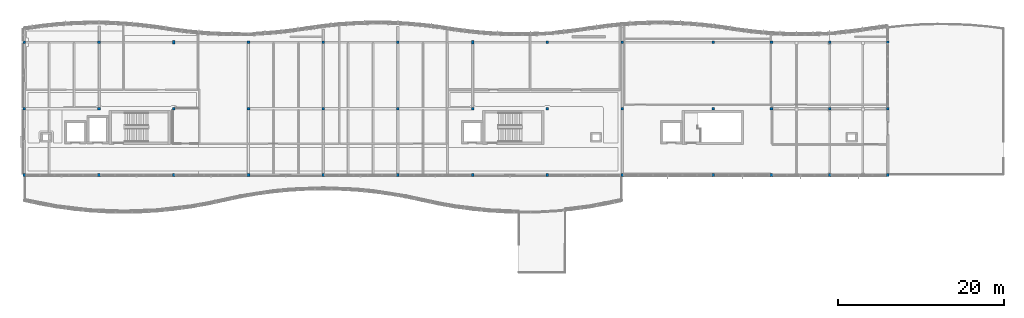
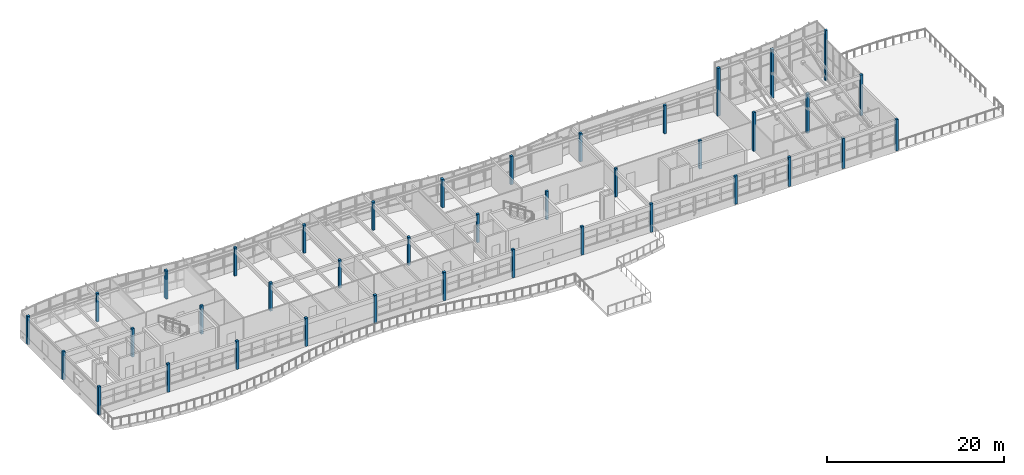
# One storey, part 1 of 33: 39 columns.
"""IFC4 building model written with IfcOpenShell, lengths in metres."""

from ifc_helpers import new_model, si_unit, direction, frame, origin, origin_2d, place, context, subcontext, project, spatial, rectangle, extrude, material, material_profile, profile_set, type_object, element, save


model = new_model("IFC4")

# Units and contexts
model_context = context("Model", 3, precision=1e-05, world=origin(), true_north=direction((0.0, 1.0)))
body_context = subcontext(model_context, "Body", "Model", "MODEL_VIEW")
ifc_project = project(units=[si_unit("LENGTHUNIT", "METRE"), si_unit("AREAUNIT", "SQUARE_METRE"), si_unit("VOLUMEUNIT", "CUBIC_METRE"), si_unit("PLANEANGLEUNIT", "RADIAN"), si_unit("MASSUNIT", "GRAM", prefix="KILO")], contexts=[model_context])

# Site, building, storey
site_placement = place(None, origin())
site = spatial("IfcSite", under=ifc_project, at=site_placement, CompositionType="ELEMENT")
building_placement = place(site_placement, origin())
building = spatial("IfcBuilding", under=site, at=building_placement, Name="Tonlespit Floodbar School", CompositionType="ELEMENT")
storey_placement = place(building_placement, frame((0.0, 0.0, 16.199951171875)))
storey = spatial("IfcBuildingStorey", under=building, at=storey_placement, Name="L04", CompositionType="ELEMENT", Elevation=16.199951171875)

# Columns
ifc_material = material(Name="Glulam GL28h", Category="wood")
ifc_material_profile_1 = material_profile(ifc_material, rectangle(XDim=0.320068359375, YDim=0.320068359375, at=origin_2d()), Name="GL 320x320")
ifc_profile_set_1 = profile_set([ifc_material_profile_1], Name="Glulam GL28h")
column_type_1 = type_object("IfcColumnType", Name="Column_GL_320x320", PredefinedType="COLUMN", material=ifc_profile_set_1)
for number, where, z_axis, x_axis, name in (
    (1, (44.0, 104.0, 0.0), (0.0, 0.0, 1.0), (1.0, 0.0, 0.0), "L04 column U06/V15"),
    (2, (44.0, 112.0, 0.0), (0.0, 0.0, 1.0), (1.0, 0.0, 0.0), "L04 column U06/V16"),
    (3, (44.0, 120.0, 0.0), (0.0, 0.0, 1.0), (1.0, 0.0, 0.0), "L04 column U06/V17"),
    (4, (53.0, 104.0, 0.0), (0.0, 0.0, 1.0), (1.0, 0.0, 0.0), "L04 column U07/V15"),
    (5, (53.0, 112.0, 0.0), (0.0, 0.0, 1.0), (1.0, 0.0, 0.0), "L04 column U07/V16"),
    (6, (53.0, 120.0, 0.0), (0.0, 0.0, 1.0), (1.0, 0.0, 0.0), "L04 column U07/V17"),
    (7, (62.0, 104.0, 0.0), (0.0, 0.0, 1.0), (1.0, 0.0, 0.0), "L04 column U08/V15"),
    (8, (62.0, 112.0, 0.0), (0.0, 0.0, 1.0), (1.0, 0.0, 0.0), "L04 column U08/V16"),
    (9, (71.0, 104.0, 0.0), (0.0, 0.0, 1.0), (1.0, 0.0, 0.0), "L04 column U09/V15"),
    (10, (71.0, 112.0, 0.0), (0.0, 0.0, 1.0), (1.0, 0.0, 0.0), "L04 column U09/V16"),
    (11, (71.0, 120.0, 0.0), (0.0, 0.0, 1.0), (1.0, 0.0, 0.0), "L04 column U09/V17"),
    (12, (80.0, 104.0, 0.0), (0.0, 0.0, 1.0), (1.0, 0.0, 0.0), "L04 column U10/V15"),
    (13, (80.0, 112.0, 0.0), (0.0, 0.0, 1.0), (1.0, 0.0, 0.0), "L04 column U10/V16"),
    (14, (80.0, 120.0, 0.0), (0.0, 0.0, 1.0), (1.0, 0.0, 0.0), "L04 column U10/V17"),
    (15, (89.0, 104.0, 0.0), (0.0, 0.0, 1.0), (1.0, 0.0, 0.0), "L04 column U11/V15"),
    (16, (89.0, 112.0, 0.0), (0.0, 0.0, 1.0), (1.0, 0.0, 0.0), "L04 column U11/V16"),
    (17, (89.0, 120.0, 0.0), (0.0, 0.0, 1.0), (1.0, 0.0, 0.0), "L04 column U11/V17"),
    (18, (98.0, 104.0, 0.0), (0.0, 0.0, 1.0), (1.0, 0.0, 0.0), "L04 column U12/V15"),
    (19, (98.0, 112.0, 0.0), (0.0, 0.0, 1.0), (1.0, 0.0, 0.0), "L04 column U12/V16"),
    (20, (107.0, 104.0, 0.0), (0.0, 0.0, 1.0), (1.0, 0.0, 0.0), "L04 column U13/V15"),
    (21, (107.0, 112.0, 0.0), (0.0, 0.0, 1.0), (1.0, 0.0, 0.0), "L04 column U13/V16"),
    (22, (107.0, 120.0, 0.0), (0.0, 0.0, 1.0), (1.0, 0.0, 0.0), "L04 column U13/V17"),
    (23, (116.0, 104.0, 0.0), (0.0, 0.0, 1.0), (1.0, 0.0, 0.0), "L04 column U14/V15"),
    (24, (116.0, 112.0, 0.0), (0.0, 0.0, 1.0), (1.0, 0.0, 0.0), "L04 column U14/V16"),
    (25, (116.0, 120.0, 0.0), (0.0, 0.0, 1.0), (1.0, 0.0, 0.0), "L04 column U14/V17"),
    (26, (127.0, 104.0, 0.0), (0.0, 0.0, 1.0), (1.0, 0.0, 0.0), "L04 column U15/V15"),
    (27, (127.0, 112.0, 0.0), (0.0, 0.0, 1.0), (1.0, 0.0, 0.0), "L04 column U15/V16"),
    (28, (127.0, 120.0, 0.0), (0.0, 0.0, 1.0), (1.0, 0.0, 0.0), "L04 column U15/V17"),
):
    element("IfcColumn", number, at=place(storey_placement, frame(where, z_axis=z_axis, x_axis=x_axis)), inside=storey, type_object=column_type_1, Name=name, PredefinedType="COLUMN", context=body_context, shape_type="SweptSolid", body=[
        extrude(rectangle(XDim=0.320068359375, YDim=0.320068359375, at=origin_2d()), origin(), (0.0, 0.0, 1.0), 3.900146484375),
    ])
column_1_placement = place(storey_placement, frame((134.0, 104.0, 0.0), z_axis=(0.0, 0.0, 1.0), x_axis=(1.0, 0.0, 0.0)))
element("IfcColumn", 29, at=column_1_placement, inside=storey, type_object=column_type_1, Name="L04 column U16/V15", PredefinedType="COLUMN", context=body_context, shape_type="SweptSolid", body=[
    extrude(rectangle(XDim=0.320068359375, YDim=0.320068359375, at=origin_2d()), origin(), (0.0, 0.0, 1.0), 4.0302734375),
])
column_2_placement = place(storey_placement, frame((134.0, 112.0, 0.0), z_axis=(0.0, 0.0, 1.0), x_axis=(1.0, 0.0, 0.0)))
element("IfcColumn", 30, at=column_2_placement, inside=storey, type_object=column_type_1, Name="L04 column U16/V16", PredefinedType="COLUMN", context=body_context, shape_type="SweptSolid", body=[
    extrude(rectangle(XDim=0.320068359375, YDim=0.320068359375, at=origin_2d()), origin(), (0.0, 0.0, 1.0), 5.313720703125),
])
column_3_placement = place(storey_placement, frame((134.0, 120.0, 0.0), z_axis=(0.0, 0.0, 1.0), x_axis=(1.0, 0.0, 0.0)))
element("IfcColumn", 31, at=column_3_placement, inside=storey, type_object=column_type_1, Name="L04 column U16/V17", PredefinedType="COLUMN", context=body_context, shape_type="SweptSolid", body=[
    extrude(rectangle(XDim=0.320068359375, YDim=0.320068359375, at=origin_2d()), origin(), (0.0, 0.0, 1.0), 6.59716796875),
])
column_4_placement = place(storey_placement, frame((141.0, 104.0, 0.0), z_axis=(0.0, 0.0, 1.0), x_axis=(1.0, 0.0, 0.0)))
element("IfcColumn", 32, at=column_4_placement, inside=storey, type_object=column_type_1, Name="L04 column U17/V15", PredefinedType="COLUMN", context=body_context, shape_type="SweptSolid", body=[
    extrude(rectangle(XDim=0.320068359375, YDim=0.320068359375, at=origin_2d()), origin(), (0.0, 0.0, 1.0), 4.175048828125),
])
column_5_placement = place(storey_placement, frame((141.0, 112.0, 0.0), z_axis=(0.0, 0.0, 1.0), x_axis=(1.0, 0.0, 0.0)))
element("IfcColumn", 33, at=column_5_placement, inside=storey, type_object=column_type_1, Name="L04 column U17/V16", PredefinedType="COLUMN", context=body_context, shape_type="SweptSolid", body=[
    extrude(rectangle(XDim=0.320068359375, YDim=0.320068359375, at=origin_2d()), origin(), (0.0, 0.0, 1.0), 5.45849609375),
])
column_6_placement = place(storey_placement, frame((141.0, 120.0, 0.0), z_axis=(0.0, 0.0, 1.0), x_axis=(1.0, 0.0, 0.0)))
element("IfcColumn", 34, at=column_6_placement, inside=storey, type_object=column_type_1, Name="L04 column U17/V17", PredefinedType="COLUMN", context=body_context, shape_type="SweptSolid", body=[
    extrude(rectangle(XDim=0.320068359375, YDim=0.320068359375, at=origin_2d()), origin(), (0.0, 0.0, 1.0), 6.741943359375),
])
column_7_placement = place(storey_placement, frame((148.0, 104.0, 0.0), z_axis=(0.0, 0.0, 1.0), x_axis=(1.0, 0.0, 0.0)))
element("IfcColumn", 35, at=column_7_placement, inside=storey, type_object=column_type_1, Name="L04 column U18/V15", PredefinedType="COLUMN", context=body_context, shape_type="SweptSolid", body=[
    extrude(rectangle(XDim=0.320068359375, YDim=0.320068359375, at=origin_2d()), origin(), (0.0, 0.0, 1.0), 4.320068359375),
])
column_8_placement = place(storey_placement, frame((148.0, 112.0, 0.0), z_axis=(0.0, 0.0, 1.0), x_axis=(1.0, 0.0, 0.0)))
element("IfcColumn", 36, at=column_8_placement, inside=storey, type_object=column_type_1, Name="L04 column U18/V16", PredefinedType="COLUMN", context=body_context, shape_type="SweptSolid", body=[
    extrude(rectangle(XDim=0.320068359375, YDim=0.320068359375, at=origin_2d()), origin(), (0.0, 0.0, 1.0), 5.603271484375),
])
column_9_placement = place(storey_placement, frame((148.0, 120.0, 0.0), z_axis=(0.0, 0.0, 1.0), x_axis=(1.0, 0.0, 0.0)))
element("IfcColumn", 37, at=column_9_placement, inside=storey, type_object=column_type_1, Name="L04 column U18/V17", PredefinedType="COLUMN", context=body_context, shape_type="SweptSolid", body=[
    extrude(rectangle(XDim=0.320068359375, YDim=0.320068359375, at=origin_2d()), origin(), (0.0, 0.0, 1.0), 6.88671875),
])
ifc_material_profile_2 = material_profile(ifc_material, rectangle(XDim=0.280029296875, YDim=0.419921875, at=origin_2d()), Name="GL 280x420")
ifc_profile_set_2 = profile_set([ifc_material_profile_2], Name="Glulam GL28h")
column_type_2 = type_object("IfcColumnType", Name="Pilaster_GL_280x420", PredefinedType="PILASTER", material=ifc_profile_set_2)
for number, where, z_axis, x_axis, name in (
    (38, (62.0, 120.0, 0.0), (0.0, 0.0, 1.0), (1.0, 0.0, 0.0), "L04 column U08/V17"),
    (39, (98.0, 120.0, 0.0), (0.0, 0.0, 1.0), (1.0, 0.0, 0.0), "L04 column U12/V17"),
):
    element("IfcColumn", number, at=place(storey_placement, frame(where, z_axis=z_axis, x_axis=x_axis)), inside=storey, type_object=column_type_2, Name=name, PredefinedType="PILASTER", context=body_context, shape_type="SweptSolid", body=[
        extrude(rectangle(XDim=0.280029296875, YDim=0.419921875, at=origin_2d()), origin(), (0.0, 0.0, 1.0), 3.900146484375),
    ])

save(model, "model.ifc")
